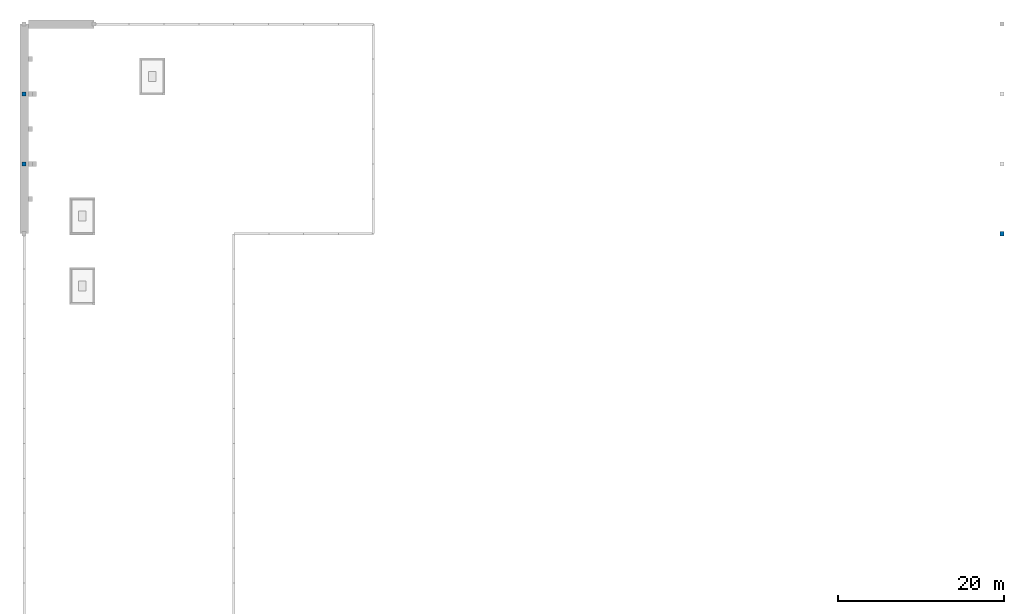
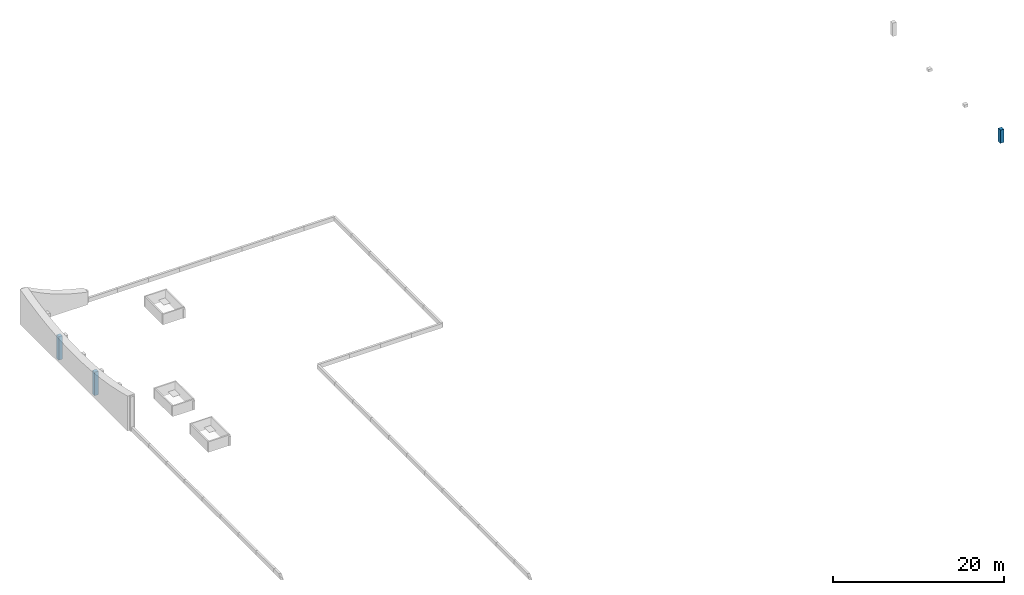
# One storey, part 2 of 4: 3 columns.
"""IFC4 building model written with IfcOpenShell, lengths in metres."""

from ifc_helpers import new_model, si_unit, direction, frame, origin, origin_2d, place, context, subcontext, project, spatial, rectangle, extrude, material, material_profile, profile_set, type_object, element, save


model = new_model("IFC4")

# Units and contexts
model_context = context("Model", 3, precision=1e-05, world=origin(), true_north=direction((0.0, 1.0)))
body_context = subcontext(model_context, "Body", "Model", "MODEL_VIEW")
ifc_project = project(units=[si_unit("LENGTHUNIT", "METRE"), si_unit("AREAUNIT", "SQUARE_METRE"), si_unit("VOLUMEUNIT", "CUBIC_METRE"), si_unit("PLANEANGLEUNIT", "RADIAN"), si_unit("MASSUNIT", "GRAM", prefix="KILO")], contexts=[model_context])

# Site, building, storey
site_placement = place(None, origin())
site = spatial("IfcSite", under=ifc_project, at=site_placement, CompositionType="ELEMENT")
building_placement = place(site_placement, origin())
building = spatial("IfcBuilding", under=site, at=building_placement, Name="Fescue Hill Polytechnic", CompositionType="ELEMENT")
storey_placement = place(building_placement, frame((0.0, 0.0, 36.0)))
storey = spatial("IfcBuildingStorey", under=building, at=storey_placement, Name="Roof", CompositionType="ELEMENT", Elevation=36.0)

# Columns
ifc_material = material(Name="Concrete 40 MPa", Category="concrete")
ifc_material_profile = material_profile(ifc_material, rectangle(XDim=0.5, YDim=0.5, at=origin_2d()), Name="RC 500x500")
ifc_profile_set = profile_set([ifc_material_profile], Name="Concrete 40 MPa")
column_type = type_object("IfcColumnType", Name="Column RC 500x500", PredefinedType="COLUMN", material=ifc_profile_set)
for number, where, z_axis, x_axis, name in (
    (1, (0.0, 117.60009765625, 0.0), (0.0, 0.0, 1.0), (1.0, 0.0, 0.0), "CP-CR5-Roof-1176"),
    (2, (0.0, 126.0, 0.0), (0.0, 0.0, 1.0), (1.0, 0.0, 0.0), "CP-CR5-Roof-1260"),
):
    element("IfcColumn", number, at=place(storey_placement, frame(where, z_axis=z_axis, x_axis=x_axis)), inside=storey, type_object=column_type, Name=name, PredefinedType="COLUMN", context=body_context, shape_type="SweptSolid", body=[
        extrude(rectangle(XDim=0.5, YDim=0.5, at=origin_2d()), origin(), (0.0, 0.0, 1.0), 3.36767578125),
    ])
column_placement = place(storey_placement, frame((117.60009765625, 109.199951171875, 0.0), z_axis=(0.0, 0.0, 1.0), x_axis=(1.0, 0.0, 0.0)))
element("IfcColumn", 3, at=column_placement, inside=storey, type_object=column_type, Name="CP-CR10-Roof-1176", PredefinedType="COLUMN", context=body_context, shape_type="SweptSolid", body=[
    extrude(rectangle(XDim=0.5, YDim=0.5, at=origin_2d()), origin(), (0.0, 0.0, 1.0), 1.89990234375),
])

save(model, "model.ifc")
